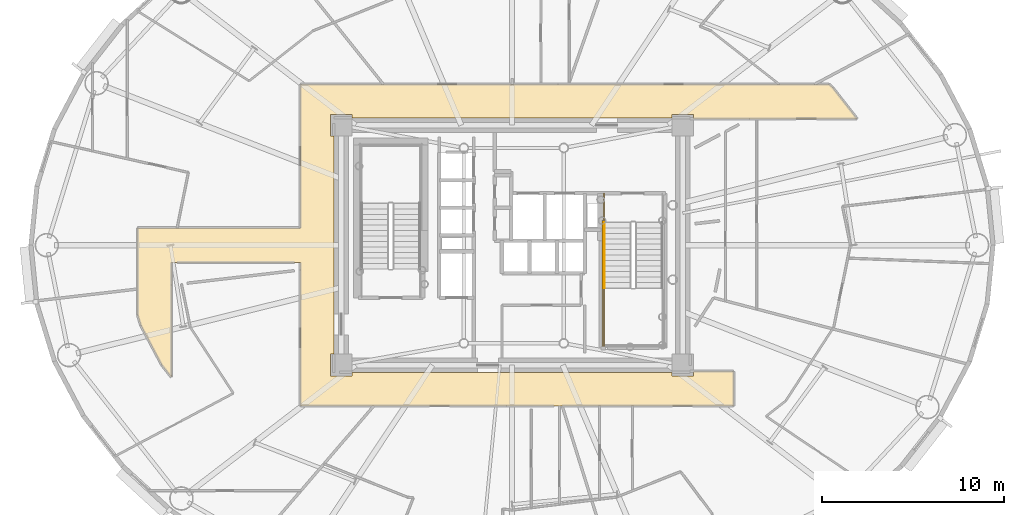
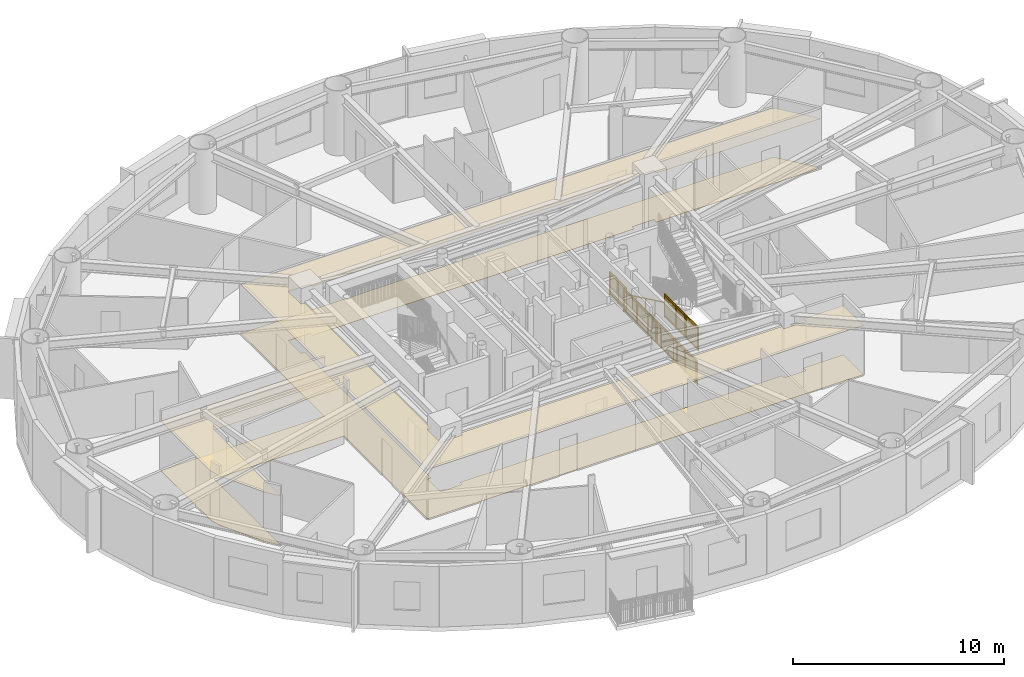
# One storey, part 16 of 19: 4 railings, 2 coverings.
"""IFC4 building model written with IfcOpenShell, lengths in metres."""

from ifc_helpers import new_model, si_unit, direction, frame, origin, origin_2d, place, context, subcontext, project, spatial, polyline, rectangle, outline, extrude, source, transform, mapped, material, layer, layer_set, type_object, element, save


model = new_model("IFC4")

# Units and contexts
model_context = context("Model", 3, precision=1e-05, world=origin(), true_north=direction((0.0, 1.0)))
body_context = subcontext(model_context, "Body", "Model", "MODEL_VIEW")
ifc_project = project(units=[si_unit("LENGTHUNIT", "METRE"), si_unit("AREAUNIT", "SQUARE_METRE"), si_unit("VOLUMEUNIT", "CUBIC_METRE"), si_unit("PLANEANGLEUNIT", "RADIAN"), si_unit("MASSUNIT", "GRAM", prefix="KILO")], contexts=[model_context])

# Site, building, storey
site_placement = place(None, origin())
site = spatial("IfcSite", under=ifc_project, at=site_placement, CompositionType="ELEMENT")
building_placement = place(site_placement, origin())
building = spatial("IfcBuilding", under=site, at=building_placement, Name="Linh Dai School and Residence Tower", CompositionType="ELEMENT")
storey_placement = place(building_placement, frame((0.0, 0.0, 174.89990234375)))
storey = spatial("IfcBuildingStorey", under=building, at=storey_placement, Name="L42", CompositionType="ELEMENT", Elevation=174.89990234375)

# Coverings
ifc_material_1 = material(Name="Mineral Fibre Acoustic Suspended Ceiling", Category="masonry")
ifc_layer_1 = layer(ifc_material_1, 0.02001953125)
ifc_layer_set_1 = layer_set([ifc_layer_1], Name="Mineral Fibre Acoustic Suspended Ceiling")
covering_type_1 = type_object("IfcCoveringType", Name="COV-CEIL-AC-20", PredefinedType="CEILING", material=ifc_layer_set_1)
covering_1_placement = place(storey_placement, frame((0.0, 0.0, 2.85009765625)))
element("IfcCovering", 1, at=covering_1_placement, inside=storey, type_object=covering_type_1, Name="L42 Residential Floor Corridor Suspended Ceiling", PredefinedType="CEILING", context=body_context, shape_type="SweptSolid", body=[
    extrude(outline(polyline([(17.25, 19.734375), (16.720458984375, 20.410888671875), (15.57421875, 22.577880859375), (15.39990234375, 23.14599609375), (15.39990234375, 27.949951171875), (24.35009765625, 27.949951171875), (24.35009765625, 35.85009765625), (53.453857421875, 35.85009765625), (53.6533203125, 35.6669921875), (54.9970703125, 33.949951171875), (46.0, 33.949951171875), (46.0, 34.199951171875), (44.800048828125, 34.199951171875), (44.800048828125, 34.0), (27.199951171875, 34.0), (27.199951171875, 34.199951171875), (26.0, 34.199951171875), (26.0, 33.0), (26.199951171875, 33.0), (26.199951171875, 21.0), (26.0, 21.0), (26.0, 19.800048828125), (27.199951171875, 19.800048828125), (27.199951171875, 20.0), (44.800048828125, 20.0), (44.800048828125, 19.800048828125), (46.0, 19.800048828125), (46.0, 20.050048828125), (48.199951171875, 20.050048828125), (48.199951171875, 18.14990234375), (24.35009765625, 18.14990234375), (24.35009765625, 26.050048828125), (17.25, 26.050048828125), (17.25, 19.734375)])), origin(), (0.0, 0.0, 1.0), 0.02001953125),
])
ifc_material_2 = material(Name="Polished Terrazzo Floor Finish", Category="masonry")
ifc_layer_2 = layer(ifc_material_2, 0.02490234375)
ifc_layer_set_2 = layer_set([ifc_layer_2], Name="Polished Terrazzo Floor Finish")
covering_type_2 = type_object("IfcCoveringType", Name="COV-FLR-TRZ-25", PredefinedType="FLOORING", material=ifc_layer_set_2)
covering_2_placement = place(storey_placement, origin())
element("IfcCovering", 2, at=covering_2_placement, inside=storey, type_object=covering_type_2, Name="L42 Residential Floor Corridor Floor Finish", PredefinedType="FLOORING", context=body_context, shape_type="SweptSolid", body=[
    extrude(outline(polyline([(17.25, 19.734375), (16.720458984375, 20.410888671875), (15.57421875, 22.577880859375), (15.39990234375, 23.14599609375), (15.39990234375, 27.949951171875), (24.35009765625, 27.949951171875), (24.35009765625, 35.85009765625), (53.453857421875, 35.85009765625), (53.6533203125, 35.6669921875), (54.9970703125, 33.949951171875), (46.0, 33.949951171875), (46.0, 34.199951171875), (44.800048828125, 34.199951171875), (44.800048828125, 34.0), (27.199951171875, 34.0), (27.199951171875, 34.199951171875), (26.0, 34.199951171875), (26.0, 33.0), (26.199951171875, 33.0), (26.199951171875, 21.0), (26.0, 21.0), (26.0, 19.800048828125), (27.199951171875, 19.800048828125), (27.199951171875, 20.0), (44.800048828125, 20.0), (44.800048828125, 19.800048828125), (46.0, 19.800048828125), (46.0, 20.050048828125), (48.199951171875, 20.050048828125), (48.199951171875, 18.14990234375), (24.35009765625, 18.14990234375), (24.35009765625, 26.050048828125), (17.25, 26.050048828125), (17.25, 19.734375)])), origin(), (0.0, 0.0, 1.0), 0.02001953125),
])

# Railings
ifc_material_3 = material(Name="Brushed Stainless Steel Handrail", Category="steel")
railing_type_1 = type_object("IfcRailingType", Name="RL-ST-HANDRAIL-900", PredefinedType="HANDRAIL", material=ifc_material_3)
shared_shape_1 = source(origin(), body_context, "Body", "SweptSolid", [
    extrude(rectangle(XDim=0.048095703125, YDim=0.048095703125, at=origin_2d()), frame((0.0, 0.0, 0.8759765625), z_axis=(0.0, -0.901262522062, 0.433273431364), x_axis=(1.0, 0.0, 0.0)), (0.0, 0.0, 1.0), 3.994384765625),
    extrude(rectangle(XDim=0.0419921875, YDim=0.0419921875, at=origin_2d()), origin(), (0.0, 0.0, 1.0), 0.8759765625),
    extrude(rectangle(XDim=0.0419921875, YDim=0.0419921875, at=origin_2d()), frame((0.0, -0.89990234375, 0.4326171875)), (0.0, 0.0, 1.0), 0.8759765625),
    extrude(rectangle(XDim=0.0419921875, YDim=0.0419921875, at=origin_2d()), frame((0.0, -1.800048828125, 0.865234375)), (0.0, 0.0, 1.0), 0.8759765625),
    extrude(rectangle(XDim=0.0419921875, YDim=0.0419921875, at=origin_2d()), frame((0.0, -2.7001953125, 1.298095703125)), (0.0, 0.0, 1.0), 0.8759765625),
    extrude(rectangle(XDim=0.0419921875, YDim=0.0419921875, at=origin_2d()), frame((0.0, -3.60009765625, 1.730712890625)), (0.0, 0.0, 1.0), 0.8759765625),
])
railing_1_placement = place(storey_placement, frame((41.070068359375, 28.25, 0.144287109375)))
element("IfcRailing", 3, at=railing_1_placement, inside=storey, type_object=railing_type_1, Name="L42 ST2 stair handrail 1", PredefinedType="HANDRAIL", context=body_context, shape_type="MappedRepresentation", body=[
    mapped(shared_shape_1, transform((0.0, 0.0, 0.0), x_axis=(1.0, 0.0, 0.0), y_axis=(0.0, 1.0, 0.0), z_axis=(0.0, 0.0, 1.0), scale=1.0)),
])
ifc_material_4 = material(Name="Structural Steel S355JR", Category="steel")
railing_type_2 = type_object("IfcRailingType", Name="RL-ST-GUARD-1400", PredefinedType="GUARDRAIL", material=ifc_material_4)
shared_shape_2 = source(origin(), body_context, "Body", "SweptSolid", [
    extrude(rectangle(XDim=0.048095703125, YDim=0.048095703125, at=origin_2d()), frame((0.0, 0.0, 1.3759765625), z_axis=(0.0, -1.0, 0.0), x_axis=(1.0, 0.0, 0.0)), (0.0, 0.0, 1.0), 1.60009765625),
    extrude(rectangle(XDim=0.048095703125, YDim=0.048095703125, at=origin_2d()), frame((0.0, 0.0, 0.10009765625), z_axis=(0.0, -1.0, 0.0), x_axis=(1.0, 0.0, 0.0)), (0.0, 0.0, 1.0), 1.60009765625),
    extrude(rectangle(XDim=0.030029296875, YDim=0.030029296875, at=origin_2d()), frame((0.0, 0.0, 1.239990234375), z_axis=(0.0, -1.0, 0.0), x_axis=(1.0, 0.0, 0.0)), (0.0, 0.0, 1.0), 1.60009765625),
    extrude(rectangle(XDim=0.02001953125, YDim=0.02001953125, at=origin_2d()), frame((0.0, -0.09423828125, 0.10009765625)), (0.0, 0.0, 1.0), 1.251708984375),
    extrude(rectangle(XDim=0.02001953125, YDim=0.02001953125, at=origin_2d()), frame((0.0, -0.188232421875, 0.10009765625)), (0.0, 0.0, 1.0), 1.251708984375),
    extrude(rectangle(XDim=0.02001953125, YDim=0.02001953125, at=origin_2d()), frame((0.0, -0.282470703125, 0.10009765625)), (0.0, 0.0, 1.0), 1.251708984375),
    extrude(rectangle(XDim=0.02001953125, YDim=0.02001953125, at=origin_2d()), frame((0.0, -0.37646484375, 0.10009765625)), (0.0, 0.0, 1.0), 1.251708984375),
    extrude(rectangle(XDim=0.02001953125, YDim=0.02001953125, at=origin_2d()), frame((0.0, -0.470703125, 0.10009765625)), (0.0, 0.0, 1.0), 1.251708984375),
    extrude(rectangle(XDim=0.02001953125, YDim=0.02001953125, at=origin_2d()), frame((0.0, -0.564697265625, 0.10009765625)), (0.0, 0.0, 1.0), 1.251708984375),
    extrude(rectangle(XDim=0.02001953125, YDim=0.02001953125, at=origin_2d()), frame((0.0, -0.658935546875, 0.10009765625)), (0.0, 0.0, 1.0), 1.251708984375),
    extrude(rectangle(XDim=0.02001953125, YDim=0.02001953125, at=origin_2d()), frame((0.0, -0.7529296875, 0.10009765625)), (0.0, 0.0, 1.0), 1.251708984375),
    extrude(rectangle(XDim=0.02001953125, YDim=0.02001953125, at=origin_2d()), frame((0.0, -0.84716796875, 0.10009765625)), (0.0, 0.0, 1.0), 1.251708984375),
    extrude(rectangle(XDim=0.02001953125, YDim=0.02001953125, at=origin_2d()), frame((0.0, -0.941162109375, 0.10009765625)), (0.0, 0.0, 1.0), 1.251708984375),
    extrude(rectangle(XDim=0.02001953125, YDim=0.02001953125, at=origin_2d()), frame((0.0, -1.035400390625, 0.10009765625)), (0.0, 0.0, 1.0), 1.251708984375),
    extrude(rectangle(XDim=0.02001953125, YDim=0.02001953125, at=origin_2d()), frame((0.0, -1.12939453125, 0.10009765625)), (0.0, 0.0, 1.0), 1.251708984375),
    extrude(rectangle(XDim=0.02001953125, YDim=0.02001953125, at=origin_2d()), frame((0.0, -1.2236328125, 0.10009765625)), (0.0, 0.0, 1.0), 1.251708984375),
    extrude(rectangle(XDim=0.02001953125, YDim=0.02001953125, at=origin_2d()), frame((0.0, -1.317626953125, 0.10009765625)), (0.0, 0.0, 1.0), 1.251708984375),
    extrude(rectangle(XDim=0.02001953125, YDim=0.02001953125, at=origin_2d()), frame((0.0, -1.411865234375, 0.10009765625)), (0.0, 0.0, 1.0), 1.251708984375),
    extrude(rectangle(XDim=0.02001953125, YDim=0.02001953125, at=origin_2d()), frame((0.0, -1.505859375, 0.10009765625)), (0.0, 0.0, 1.0), 1.251708984375),
    extrude(rectangle(XDim=0.0419921875, YDim=0.0419921875, at=origin_2d()), origin(), (0.0, 0.0, 1.0), 1.3759765625),
    extrude(rectangle(XDim=0.0419921875, YDim=0.0419921875, at=origin_2d()), frame((0.0, -0.800048828125, 0.0)), (0.0, 0.0, 1.0), 1.3759765625),
    extrude(rectangle(XDim=0.0419921875, YDim=0.0419921875, at=origin_2d()), frame((0.0, -1.60009765625, 0.0)), (0.0, 0.0, 1.0), 1.3759765625),
])
railing_2_placement = place(storey_placement, frame((41.070068359375, 29.85009765625, 0.0)))
element("IfcRailing", 4, at=railing_2_placement, inside=storey, type_object=railing_type_2, Name="L42 ST2 stair guard 8", PredefinedType="GUARDRAIL", context=body_context, shape_type="MappedRepresentation", body=[
    mapped(shared_shape_2, transform((0.0, 0.0, 0.0), x_axis=(1.0, 0.0, 0.0), y_axis=(0.0, 1.0, 0.0), z_axis=(0.0, 0.0, 1.0), scale=1.0)),
])
shared_shape_3 = source(origin(), body_context, "Body", "SweptSolid", [
    extrude(rectangle(XDim=0.048095703125, YDim=0.048095703125, at=origin_2d()), frame((0.0, 0.0, 1.3759765625), z_axis=(0.0, -1.0, 0.0), x_axis=(1.0, 0.0, 0.0)), (0.0, 0.0, 1.0), 7.0),
    extrude(rectangle(XDim=0.048095703125, YDim=0.048095703125, at=origin_2d()), frame((0.0, 0.0, 0.10009765625), z_axis=(0.0, -1.0, 0.0), x_axis=(1.0, 0.0, 0.0)), (0.0, 0.0, 1.0), 7.0),
    extrude(rectangle(XDim=0.030029296875, YDim=0.030029296875, at=origin_2d()), frame((0.0, 0.0, 1.239990234375), z_axis=(0.0, -1.0, 0.0), x_axis=(1.0, 0.0, 0.0)), (0.0, 0.0, 1.0), 7.0),
    extrude(rectangle(XDim=0.02001953125, YDim=0.02001953125, at=origin_2d()), frame((0.0, -0.09716796875, 0.10009765625)), (0.0, 0.0, 1.0), 1.251708984375),
    extrude(rectangle(XDim=0.02001953125, YDim=0.02001953125, at=origin_2d()), frame((0.0, -0.1943359375, 0.10009765625)), (0.0, 0.0, 1.0), 1.251708984375),
    extrude(rectangle(XDim=0.02001953125, YDim=0.02001953125, at=origin_2d()), frame((0.0, -0.291748046875, 0.10009765625)), (0.0, 0.0, 1.0), 1.251708984375),
    extrude(rectangle(XDim=0.02001953125, YDim=0.02001953125, at=origin_2d()), frame((0.0, -0.388916015625, 0.10009765625)), (0.0, 0.0, 1.0), 1.251708984375),
    extrude(rectangle(XDim=0.02001953125, YDim=0.02001953125, at=origin_2d()), frame((0.0, -0.486083984375, 0.10009765625)), (0.0, 0.0, 1.0), 1.251708984375),
    extrude(rectangle(XDim=0.02001953125, YDim=0.02001953125, at=origin_2d()), frame((0.0, -0.583251953125, 0.10009765625)), (0.0, 0.0, 1.0), 1.251708984375),
    extrude(rectangle(XDim=0.02001953125, YDim=0.02001953125, at=origin_2d()), frame((0.0, -0.6806640625, 0.10009765625)), (0.0, 0.0, 1.0), 1.251708984375),
    extrude(rectangle(XDim=0.02001953125, YDim=0.02001953125, at=origin_2d()), frame((0.0, -0.77783203125, 0.10009765625)), (0.0, 0.0, 1.0), 1.251708984375),
    extrude(rectangle(XDim=0.02001953125, YDim=0.02001953125, at=origin_2d()), frame((0.0, -0.875, 0.10009765625)), (0.0, 0.0, 1.0), 1.251708984375),
    extrude(rectangle(XDim=0.02001953125, YDim=0.02001953125, at=origin_2d()), frame((0.0, -0.97216796875, 0.10009765625)), (0.0, 0.0, 1.0), 1.251708984375),
    extrude(rectangle(XDim=0.02001953125, YDim=0.02001953125, at=origin_2d()), frame((0.0, -1.0693359375, 0.10009765625)), (0.0, 0.0, 1.0), 1.251708984375),
    extrude(rectangle(XDim=0.02001953125, YDim=0.02001953125, at=origin_2d()), frame((0.0, -1.263916015625, 0.10009765625)), (0.0, 0.0, 1.0), 1.251708984375),
    extrude(rectangle(XDim=0.02001953125, YDim=0.02001953125, at=origin_2d()), frame((0.0, -1.361083984375, 0.10009765625)), (0.0, 0.0, 1.0), 1.251708984375),
    extrude(rectangle(XDim=0.02001953125, YDim=0.02001953125, at=origin_2d()), frame((0.0, -1.458251953125, 0.10009765625)), (0.0, 0.0, 1.0), 1.251708984375),
    extrude(rectangle(XDim=0.02001953125, YDim=0.02001953125, at=origin_2d()), frame((0.0, -1.5556640625, 0.10009765625)), (0.0, 0.0, 1.0), 1.251708984375),
    extrude(rectangle(XDim=0.02001953125, YDim=0.02001953125, at=origin_2d()), frame((0.0, -1.65283203125, 0.10009765625)), (0.0, 0.0, 1.0), 1.251708984375),
    extrude(rectangle(XDim=0.02001953125, YDim=0.02001953125, at=origin_2d()), frame((0.0, -1.75, 0.10009765625)), (0.0, 0.0, 1.0), 1.251708984375),
    extrude(rectangle(XDim=0.02001953125, YDim=0.02001953125, at=origin_2d()), frame((0.0, -1.84716796875, 0.10009765625)), (0.0, 0.0, 1.0), 1.251708984375),
    extrude(rectangle(XDim=0.02001953125, YDim=0.02001953125, at=origin_2d()), frame((0.0, -1.9443359375, 0.10009765625)), (0.0, 0.0, 1.0), 1.251708984375),
    extrude(rectangle(XDim=0.02001953125, YDim=0.02001953125, at=origin_2d()), frame((0.0, -2.041748046875, 0.10009765625)), (0.0, 0.0, 1.0), 1.251708984375),
    extrude(rectangle(XDim=0.02001953125, YDim=0.02001953125, at=origin_2d()), frame((0.0, -2.138916015625, 0.10009765625)), (0.0, 0.0, 1.0), 1.251708984375),
    extrude(rectangle(XDim=0.02001953125, YDim=0.02001953125, at=origin_2d()), frame((0.0, -2.236083984375, 0.10009765625)), (0.0, 0.0, 1.0), 1.251708984375),
    extrude(rectangle(XDim=0.02001953125, YDim=0.02001953125, at=origin_2d()), frame((0.0, -2.4306640625, 0.10009765625)), (0.0, 0.0, 1.0), 1.251708984375),
    extrude(rectangle(XDim=0.02001953125, YDim=0.02001953125, at=origin_2d()), frame((0.0, -2.52783203125, 0.10009765625)), (0.0, 0.0, 1.0), 1.251708984375),
    extrude(rectangle(XDim=0.02001953125, YDim=0.02001953125, at=origin_2d()), frame((0.0, -2.625, 0.10009765625)), (0.0, 0.0, 1.0), 1.251708984375),
    extrude(rectangle(XDim=0.02001953125, YDim=0.02001953125, at=origin_2d()), frame((0.0, -2.72216796875, 0.10009765625)), (0.0, 0.0, 1.0), 1.251708984375),
    extrude(rectangle(XDim=0.02001953125, YDim=0.02001953125, at=origin_2d()), frame((0.0, -2.8193359375, 0.10009765625)), (0.0, 0.0, 1.0), 1.251708984375),
    extrude(rectangle(XDim=0.02001953125, YDim=0.02001953125, at=origin_2d()), frame((0.0, -2.916748046875, 0.10009765625)), (0.0, 0.0, 1.0), 1.251708984375),
    extrude(rectangle(XDim=0.02001953125, YDim=0.02001953125, at=origin_2d()), frame((0.0, -3.013916015625, 0.10009765625)), (0.0, 0.0, 1.0), 1.251708984375),
    extrude(rectangle(XDim=0.02001953125, YDim=0.02001953125, at=origin_2d()), frame((0.0, -3.111083984375, 0.10009765625)), (0.0, 0.0, 1.0), 1.251708984375),
    extrude(rectangle(XDim=0.02001953125, YDim=0.02001953125, at=origin_2d()), frame((0.0, -3.208251953125, 0.10009765625)), (0.0, 0.0, 1.0), 1.251708984375),
    extrude(rectangle(XDim=0.02001953125, YDim=0.02001953125, at=origin_2d()), frame((0.0, -3.3056640625, 0.10009765625)), (0.0, 0.0, 1.0), 1.251708984375),
    extrude(rectangle(XDim=0.02001953125, YDim=0.02001953125, at=origin_2d()), frame((0.0, -3.40283203125, 0.10009765625)), (0.0, 0.0, 1.0), 1.251708984375),
    extrude(rectangle(XDim=0.02001953125, YDim=0.02001953125, at=origin_2d()), frame((0.0, -3.59716796875, 0.10009765625)), (0.0, 0.0, 1.0), 1.251708984375),
    extrude(rectangle(XDim=0.02001953125, YDim=0.02001953125, at=origin_2d()), frame((0.0, -3.6943359375, 0.10009765625)), (0.0, 0.0, 1.0), 1.251708984375),
    extrude(rectangle(XDim=0.02001953125, YDim=0.02001953125, at=origin_2d()), frame((0.0, -3.791748046875, 0.10009765625)), (0.0, 0.0, 1.0), 1.251708984375),
    extrude(rectangle(XDim=0.02001953125, YDim=0.02001953125, at=origin_2d()), frame((0.0, -3.888916015625, 0.10009765625)), (0.0, 0.0, 1.0), 1.251708984375),
    extrude(rectangle(XDim=0.02001953125, YDim=0.02001953125, at=origin_2d()), frame((0.0, -3.986083984375, 0.10009765625)), (0.0, 0.0, 1.0), 1.251708984375),
    extrude(rectangle(XDim=0.02001953125, YDim=0.02001953125, at=origin_2d()), frame((0.0, -4.083251953125, 0.10009765625)), (0.0, 0.0, 1.0), 1.251708984375),
    extrude(rectangle(XDim=0.02001953125, YDim=0.02001953125, at=origin_2d()), frame((0.0, -4.1806640625, 0.10009765625)), (0.0, 0.0, 1.0), 1.251708984375),
    extrude(rectangle(XDim=0.02001953125, YDim=0.02001953125, at=origin_2d()), frame((0.0, -4.27783203125, 0.10009765625)), (0.0, 0.0, 1.0), 1.251708984375),
    extrude(rectangle(XDim=0.02001953125, YDim=0.02001953125, at=origin_2d()), frame((0.0, -4.375, 0.10009765625)), (0.0, 0.0, 1.0), 1.251708984375),
    extrude(rectangle(XDim=0.02001953125, YDim=0.02001953125, at=origin_2d()), frame((0.0, -4.47216796875, 0.10009765625)), (0.0, 0.0, 1.0), 1.251708984375),
    extrude(rectangle(XDim=0.02001953125, YDim=0.02001953125, at=origin_2d()), frame((0.0, -4.5693359375, 0.10009765625)), (0.0, 0.0, 1.0), 1.251708984375),
    extrude(rectangle(XDim=0.02001953125, YDim=0.02001953125, at=origin_2d()), frame((0.0, -4.763916015625, 0.10009765625)), (0.0, 0.0, 1.0), 1.251708984375),
    extrude(rectangle(XDim=0.02001953125, YDim=0.02001953125, at=origin_2d()), frame((0.0, -4.861083984375, 0.10009765625)), (0.0, 0.0, 1.0), 1.251708984375),
    extrude(rectangle(XDim=0.02001953125, YDim=0.02001953125, at=origin_2d()), frame((0.0, -4.958251953125, 0.10009765625)), (0.0, 0.0, 1.0), 1.251708984375),
    extrude(rectangle(XDim=0.02001953125, YDim=0.02001953125, at=origin_2d()), frame((0.0, -5.0556640625, 0.10009765625)), (0.0, 0.0, 1.0), 1.251708984375),
    extrude(rectangle(XDim=0.02001953125, YDim=0.02001953125, at=origin_2d()), frame((0.0, -5.15283203125, 0.10009765625)), (0.0, 0.0, 1.0), 1.251708984375),
    extrude(rectangle(XDim=0.02001953125, YDim=0.02001953125, at=origin_2d()), frame((0.0, -5.25, 0.10009765625)), (0.0, 0.0, 1.0), 1.251708984375),
    extrude(rectangle(XDim=0.02001953125, YDim=0.02001953125, at=origin_2d()), frame((0.0, -5.34716796875, 0.10009765625)), (0.0, 0.0, 1.0), 1.251708984375),
    extrude(rectangle(XDim=0.02001953125, YDim=0.02001953125, at=origin_2d()), frame((0.0, -5.4443359375, 0.10009765625)), (0.0, 0.0, 1.0), 1.251708984375),
    extrude(rectangle(XDim=0.02001953125, YDim=0.02001953125, at=origin_2d()), frame((0.0, -5.541748046875, 0.10009765625)), (0.0, 0.0, 1.0), 1.251708984375),
    extrude(rectangle(XDim=0.02001953125, YDim=0.02001953125, at=origin_2d()), frame((0.0, -5.638916015625, 0.10009765625)), (0.0, 0.0, 1.0), 1.251708984375),
    extrude(rectangle(XDim=0.02001953125, YDim=0.02001953125, at=origin_2d()), frame((0.0, -5.736083984375, 0.10009765625)), (0.0, 0.0, 1.0), 1.251708984375),
    extrude(rectangle(XDim=0.02001953125, YDim=0.02001953125, at=origin_2d()), frame((0.0, -5.9306640625, 0.10009765625)), (0.0, 0.0, 1.0), 1.251708984375),
    extrude(rectangle(XDim=0.02001953125, YDim=0.02001953125, at=origin_2d()), frame((0.0, -6.02783203125, 0.10009765625)), (0.0, 0.0, 1.0), 1.251708984375),
    extrude(rectangle(XDim=0.02001953125, YDim=0.02001953125, at=origin_2d()), frame((0.0, -6.125, 0.10009765625)), (0.0, 0.0, 1.0), 1.251708984375),
    extrude(rectangle(XDim=0.02001953125, YDim=0.02001953125, at=origin_2d()), frame((0.0, -6.22216796875, 0.10009765625)), (0.0, 0.0, 1.0), 1.251708984375),
    extrude(rectangle(XDim=0.02001953125, YDim=0.02001953125, at=origin_2d()), frame((0.0, -6.3193359375, 0.10009765625)), (0.0, 0.0, 1.0), 1.251708984375),
    extrude(rectangle(XDim=0.02001953125, YDim=0.02001953125, at=origin_2d()), frame((0.0, -6.416748046875, 0.10009765625)), (0.0, 0.0, 1.0), 1.251708984375),
    extrude(rectangle(XDim=0.02001953125, YDim=0.02001953125, at=origin_2d()), frame((0.0, -6.513916015625, 0.10009765625)), (0.0, 0.0, 1.0), 1.251708984375),
    extrude(rectangle(XDim=0.02001953125, YDim=0.02001953125, at=origin_2d()), frame((0.0, -6.611083984375, 0.10009765625)), (0.0, 0.0, 1.0), 1.251708984375),
    extrude(rectangle(XDim=0.02001953125, YDim=0.02001953125, at=origin_2d()), frame((0.0, -6.708251953125, 0.10009765625)), (0.0, 0.0, 1.0), 1.251708984375),
    extrude(rectangle(XDim=0.02001953125, YDim=0.02001953125, at=origin_2d()), frame((0.0, -6.8056640625, 0.10009765625)), (0.0, 0.0, 1.0), 1.251708984375),
    extrude(rectangle(XDim=0.02001953125, YDim=0.02001953125, at=origin_2d()), frame((0.0, -6.90283203125, 0.10009765625)), (0.0, 0.0, 1.0), 1.251708984375),
    extrude(rectangle(XDim=0.0419921875, YDim=0.0419921875, at=origin_2d()), origin(), (0.0, 0.0, 1.0), 1.3759765625),
    extrude(rectangle(XDim=0.0419921875, YDim=0.0419921875, at=origin_2d()), frame((0.0, -1.166748046875, 0.0)), (0.0, 0.0, 1.0), 1.3759765625),
    extrude(rectangle(XDim=0.0419921875, YDim=0.0419921875, at=origin_2d()), frame((0.0, -2.333251953125, 0.0)), (0.0, 0.0, 1.0), 1.3759765625),
    extrude(rectangle(XDim=0.0419921875, YDim=0.0419921875, at=origin_2d()), frame((0.0, -3.5, 0.0)), (0.0, 0.0, 1.0), 1.3759765625),
    extrude(rectangle(XDim=0.0419921875, YDim=0.0419921875, at=origin_2d()), frame((0.0, -4.666748046875, 0.0)), (0.0, 0.0, 1.0), 1.3759765625),
    extrude(rectangle(XDim=0.0419921875, YDim=0.0419921875, at=origin_2d()), frame((0.0, -5.833251953125, 0.0)), (0.0, 0.0, 1.0), 1.3759765625),
    extrude(rectangle(XDim=0.0419921875, YDim=0.0419921875, at=origin_2d()), frame((0.0, -7.0, 0.0)), (0.0, 0.0, 1.0), 1.3759765625),
])
railing_3_placement = place(storey_placement, frame((40.969970703125, 28.35009765625, 0.0)))
element("IfcRailing", 5, at=railing_3_placement, inside=storey, type_object=railing_type_2, Name="L42 ST2 stair guard 10", PredefinedType="GUARDRAIL", context=body_context, shape_type="MappedRepresentation", body=[
    mapped(shared_shape_3, transform((0.0, 0.0, 0.0), x_axis=(1.0, 0.0, 0.0), y_axis=(0.0, 1.0, 0.0), z_axis=(0.0, 0.0, 1.0), scale=1.0)),
])
shared_shape_4 = source(origin(), body_context, "Body", "SweptSolid", [
    extrude(rectangle(XDim=0.048095703125, YDim=0.048095703125, at=origin_2d()), frame((0.0, 0.0, 1.3759765625), z_axis=(0.0, -1.0, 0.0), x_axis=(1.0, 0.0, 0.0)), (0.0, 0.0, 1.0), 3.199951171875),
    extrude(rectangle(XDim=0.048095703125, YDim=0.048095703125, at=origin_2d()), frame((0.0, 0.0, 0.10009765625), z_axis=(0.0, -1.0, 0.0), x_axis=(1.0, 0.0, 0.0)), (0.0, 0.0, 1.0), 3.199951171875),
    extrude(rectangle(XDim=0.030029296875, YDim=0.030029296875, at=origin_2d()), frame((0.0, 0.0, 1.239990234375), z_axis=(0.0, -1.0, 0.0), x_axis=(1.0, 0.0, 0.0)), (0.0, 0.0, 1.0), 3.199951171875),
    extrude(rectangle(XDim=0.02001953125, YDim=0.02001953125, at=origin_2d()), frame((0.0, -0.096923828125, 0.10009765625)), (0.0, 0.0, 1.0), 1.251708984375),
    extrude(rectangle(XDim=0.02001953125, YDim=0.02001953125, at=origin_2d()), frame((0.0, -0.19384765625, 0.10009765625)), (0.0, 0.0, 1.0), 1.251708984375),
    extrude(rectangle(XDim=0.02001953125, YDim=0.02001953125, at=origin_2d()), frame((0.0, -0.291015625, 0.10009765625)), (0.0, 0.0, 1.0), 1.251708984375),
    extrude(rectangle(XDim=0.02001953125, YDim=0.02001953125, at=origin_2d()), frame((0.0, -0.387939453125, 0.10009765625)), (0.0, 0.0, 1.0), 1.251708984375),
    extrude(rectangle(XDim=0.02001953125, YDim=0.02001953125, at=origin_2d()), frame((0.0, -0.48486328125, 0.10009765625)), (0.0, 0.0, 1.0), 1.251708984375),
    extrude(rectangle(XDim=0.02001953125, YDim=0.02001953125, at=origin_2d()), frame((0.0, -0.581787109375, 0.10009765625)), (0.0, 0.0, 1.0), 1.251708984375),
    extrude(rectangle(XDim=0.02001953125, YDim=0.02001953125, at=origin_2d()), frame((0.0, -0.6787109375, 0.10009765625)), (0.0, 0.0, 1.0), 1.251708984375),
    extrude(rectangle(XDim=0.02001953125, YDim=0.02001953125, at=origin_2d()), frame((0.0, -0.775634765625, 0.10009765625)), (0.0, 0.0, 1.0), 1.251708984375),
    extrude(rectangle(XDim=0.02001953125, YDim=0.02001953125, at=origin_2d()), frame((0.0, -0.872802734375, 0.10009765625)), (0.0, 0.0, 1.0), 1.251708984375),
    extrude(rectangle(XDim=0.02001953125, YDim=0.02001953125, at=origin_2d()), frame((0.0, -0.9697265625, 0.10009765625)), (0.0, 0.0, 1.0), 1.251708984375),
    extrude(rectangle(XDim=0.02001953125, YDim=0.02001953125, at=origin_2d()), frame((0.0, -1.16357421875, 0.10009765625)), (0.0, 0.0, 1.0), 1.251708984375),
    extrude(rectangle(XDim=0.02001953125, YDim=0.02001953125, at=origin_2d()), frame((0.0, -1.260498046875, 0.10009765625)), (0.0, 0.0, 1.0), 1.251708984375),
    extrude(rectangle(XDim=0.02001953125, YDim=0.02001953125, at=origin_2d()), frame((0.0, -1.357666015625, 0.10009765625)), (0.0, 0.0, 1.0), 1.251708984375),
    extrude(rectangle(XDim=0.02001953125, YDim=0.02001953125, at=origin_2d()), frame((0.0, -1.45458984375, 0.10009765625)), (0.0, 0.0, 1.0), 1.251708984375),
    extrude(rectangle(XDim=0.02001953125, YDim=0.02001953125, at=origin_2d()), frame((0.0, -1.551513671875, 0.10009765625)), (0.0, 0.0, 1.0), 1.251708984375),
    extrude(rectangle(XDim=0.02001953125, YDim=0.02001953125, at=origin_2d()), frame((0.0, -1.6484375, 0.10009765625)), (0.0, 0.0, 1.0), 1.251708984375),
    extrude(rectangle(XDim=0.02001953125, YDim=0.02001953125, at=origin_2d()), frame((0.0, -1.745361328125, 0.10009765625)), (0.0, 0.0, 1.0), 1.251708984375),
    extrude(rectangle(XDim=0.02001953125, YDim=0.02001953125, at=origin_2d()), frame((0.0, -1.84228515625, 0.10009765625)), (0.0, 0.0, 1.0), 1.251708984375),
    extrude(rectangle(XDim=0.02001953125, YDim=0.02001953125, at=origin_2d()), frame((0.0, -1.939453125, 0.10009765625)), (0.0, 0.0, 1.0), 1.251708984375),
    extrude(rectangle(XDim=0.02001953125, YDim=0.02001953125, at=origin_2d()), frame((0.0, -2.036376953125, 0.10009765625)), (0.0, 0.0, 1.0), 1.251708984375),
    extrude(rectangle(XDim=0.02001953125, YDim=0.02001953125, at=origin_2d()), frame((0.0, -2.230224609375, 0.10009765625)), (0.0, 0.0, 1.0), 1.251708984375),
    extrude(rectangle(XDim=0.02001953125, YDim=0.02001953125, at=origin_2d()), frame((0.0, -2.3271484375, 0.10009765625)), (0.0, 0.0, 1.0), 1.251708984375),
    extrude(rectangle(XDim=0.02001953125, YDim=0.02001953125, at=origin_2d()), frame((0.0, -2.42431640625, 0.10009765625)), (0.0, 0.0, 1.0), 1.251708984375),
    extrude(rectangle(XDim=0.02001953125, YDim=0.02001953125, at=origin_2d()), frame((0.0, -2.521240234375, 0.10009765625)), (0.0, 0.0, 1.0), 1.251708984375),
    extrude(rectangle(XDim=0.02001953125, YDim=0.02001953125, at=origin_2d()), frame((0.0, -2.6181640625, 0.10009765625)), (0.0, 0.0, 1.0), 1.251708984375),
    extrude(rectangle(XDim=0.02001953125, YDim=0.02001953125, at=origin_2d()), frame((0.0, -2.715087890625, 0.10009765625)), (0.0, 0.0, 1.0), 1.251708984375),
    extrude(rectangle(XDim=0.02001953125, YDim=0.02001953125, at=origin_2d()), frame((0.0, -2.81201171875, 0.10009765625)), (0.0, 0.0, 1.0), 1.251708984375),
    extrude(rectangle(XDim=0.02001953125, YDim=0.02001953125, at=origin_2d()), frame((0.0, -2.908935546875, 0.10009765625)), (0.0, 0.0, 1.0), 1.251708984375),
    extrude(rectangle(XDim=0.02001953125, YDim=0.02001953125, at=origin_2d()), frame((0.0, -3.006103515625, 0.10009765625)), (0.0, 0.0, 1.0), 1.251708984375),
    extrude(rectangle(XDim=0.02001953125, YDim=0.02001953125, at=origin_2d()), frame((0.0, -3.10302734375, 0.10009765625)), (0.0, 0.0, 1.0), 1.251708984375),
    extrude(rectangle(XDim=0.0419921875, YDim=0.0419921875, at=origin_2d()), origin(), (0.0, 0.0, 1.0), 1.3759765625),
    extrude(rectangle(XDim=0.0419921875, YDim=0.0419921875, at=origin_2d()), frame((0.0, -1.066650390625, 0.0)), (0.0, 0.0, 1.0), 1.3759765625),
    extrude(rectangle(XDim=0.0419921875, YDim=0.0419921875, at=origin_2d()), frame((0.0, -2.13330078125, 0.0)), (0.0, 0.0, 1.0), 1.3759765625),
    extrude(rectangle(XDim=0.0419921875, YDim=0.0419921875, at=origin_2d()), frame((0.0, -3.199951171875, 0.0)), (0.0, 0.0, 1.0), 1.3759765625),
])
railing_4_placement = place(storey_placement, frame((41.070068359375, 24.64990234375, 1.875)))
element("IfcRailing", 6, at=railing_4_placement, inside=storey, type_object=railing_type_2, Name="L42 ST2 stair guard 3", PredefinedType="GUARDRAIL", context=body_context, shape_type="MappedRepresentation", body=[
    mapped(shared_shape_4, transform((0.0, 0.0, 0.0), x_axis=(1.0, 0.0, 0.0), y_axis=(0.0, 1.0, 0.0), z_axis=(0.0, 0.0, 1.0), scale=1.0)),
])

save(model, "model.ifc")
